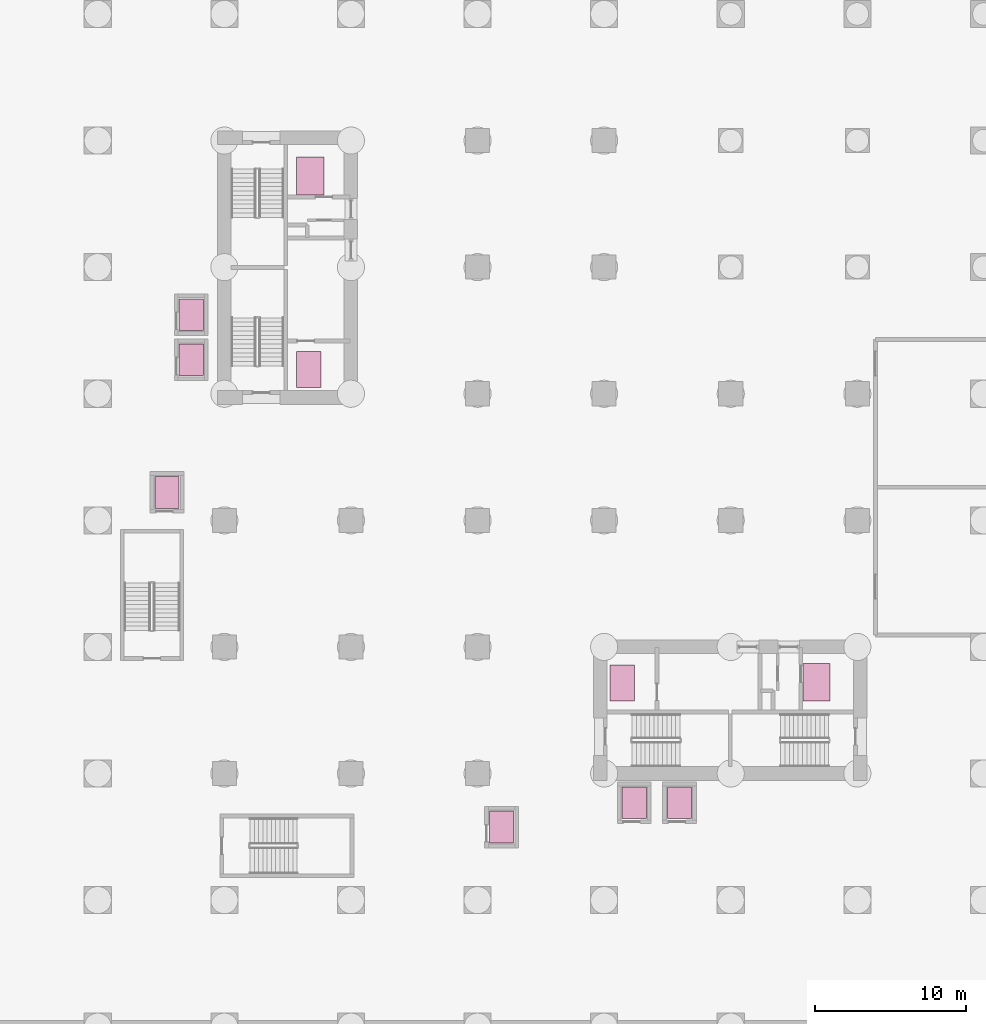
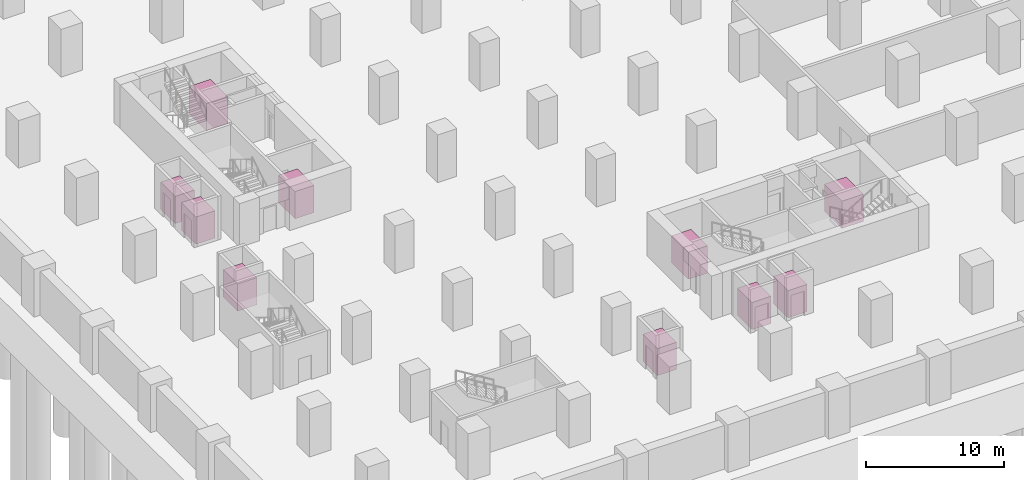
# One storey, part 12 of 12: 10 transport elements.
"""IFC4 building model written with IfcOpenShell, lengths in metres."""

import ifcopenshell
import ifcopenshell.guid

model = None  # the IFC model being written
_history = None  # IfcOwnerHistory: only IFC2X3 demands one
_inside = {}  # id of a spatial element -> (the spatial element, [elements in it])
_under = {}  # id of a project, library or spatial element -> (it, [spatial elements below it])
_declared = {}  # id of a project -> (the project, [libraries it declares])
_typed = {}  # id of a type object -> (the type object, [elements of that type])
_made_of = {}  # id of a material, layer set ... -> (it, [elements and type objects made of it])


def new_model(schema):
    """Start an empty IFC model of exactly this schema.

    Asked for "IFC4X3", IfcOpenShell would pick the latest addendum, in which some entities
    have other attributes; the version numbers below select the first issue.
    IFC2X3 requires an IfcOwnerHistory on every rooted entity: one is made here for all.
    """
    global model, _history
    if schema == "IFC4X3":
        model = ifcopenshell.file(schema_version=(4, 3, 0, 0))
    else:
        model = ifcopenshell.file(schema=schema)
    _inside.clear()
    _under.clear()
    _declared.clear()
    _typed.clear()
    _made_of.clear()
    _history = None
    if model.schema == "IFC2X3":
        org = make("IfcOrganization", Name="unknown")
        user = make(
            "IfcPersonAndOrganization",
            ThePerson=make("IfcPerson", FamilyName="unknown"),
            TheOrganization=org,
        )
        app = make(
            "IfcApplication",
            ApplicationDeveloper=org,
            Version="unknown",
            ApplicationFullName="unknown",
            ApplicationIdentifier="unknown",
        )
        _history = make(
            "IfcOwnerHistory",
            OwningUser=user,
            OwningApplication=app,
            ChangeAction="ADDED",
            CreationDate=0,
        )
    return model


def make(cls, **values):
    """One entity of the class cls with the attributes given. An attribute that is None is left unset."""
    return model.create_entity(
        cls, **{name: value for name, value in values.items() if value is not None}
    )


def rooted(cls, **values):
    """An entity with a GlobalId (a new one), such as an element, a storey or a relation."""
    return make(cls, GlobalId=ifcopenshell.guid.new(), OwnerHistory=_history, **values)


def si_unit(unit_type, name, prefix=None):
    """IfcSIUnit, for example si_unit("LENGTHUNIT", "METRE", prefix="MILLI")."""
    return make("IfcSIUnit", UnitType=unit_type, Prefix=prefix, Name=name)


def assignment(units):
    """IfcUnitAssignment: the units of a project."""
    return None if units is None else make("IfcUnitAssignment", Units=units)


def point(xyz):
    """IfcCartesianPoint."""
    return None if xyz is None else make("IfcCartesianPoint", Coordinates=xyz)


def direction(xyz):
    """IfcDirection."""
    return None if xyz is None else make("IfcDirection", DirectionRatios=xyz)


def frame(location, z_axis=None, x_axis=None):
    """IfcAxis2Placement3D, a coordinate frame: its origin and axes. An axis left out is left unset."""
    return make(
        "IfcAxis2Placement3D",
        Location=point(location),
        Axis=direction(z_axis),
        RefDirection=direction(x_axis),
    )


def frame_2d(location, x_axis=None):
    """IfcAxis2Placement2D, a coordinate frame in the plane: its origin and x axis."""
    return make(
        "IfcAxis2Placement2D", Location=point(location), RefDirection=direction(x_axis)
    )


def origin():
    """The frame at (0, 0, 0) with its axes left unset."""
    return frame((0.0, 0.0, 0.0))


def origin_2d():
    """The frame at (0, 0) in the plane with its x axis left unset."""
    return frame_2d((0.0, 0.0))


def place(relative_to, where):
    """IfcLocalPlacement: puts the frame where relative to a parent placement (None: the world)."""
    return make(
        "IfcLocalPlacement", PlacementRelTo=relative_to, RelativePlacement=where
    )


def context(
    kind, dimensions, precision=None, world=None, true_north=None, identifier=None
):
    """IfcGeometricRepresentationContext, for example the 3D "Model" context."""
    return make(
        "IfcGeometricRepresentationContext",
        ContextIdentifier=identifier,
        ContextType=kind,
        CoordinateSpaceDimension=dimensions,
        Precision=precision,
        WorldCoordinateSystem=world,
        TrueNorth=true_north,
    )


def subcontext(parent, identifier, kind, view, scale=None):
    """IfcGeometricRepresentationSubContext, for example "Body" below "Model"."""
    return make(
        "IfcGeometricRepresentationSubContext",
        ContextIdentifier=identifier,
        ContextType=kind,
        ParentContext=parent,
        TargetScale=scale,
        TargetView=view,
    )


def project(units=None, contexts=None):
    """IfcProject with its units and contexts."""
    return rooted(
        "IfcProject",
        Name="project",
        RepresentationContexts=contexts,
        UnitsInContext=assignment(units),
    )


def spatial(cls, under=None, at=None, **own):
    """A site, building, storey or space (cls), placed at a placement, below another one or the project."""
    s = rooted(cls, ObjectPlacement=at, **own)
    if under is not None:
        _under.setdefault(under.id(), (under, []))[1].append(s)
    return s


def profile(cls, at=None, kind="AREA", **sizes):
    """A parametric profile (cls). Its sizes go by their IFC names, for example OverallWidth=200.0."""
    return make(cls, ProfileType=kind, Position=at, **sizes)


def rectangle(**sizes):
    """IfcRectangleProfileDef."""
    return profile("IfcRectangleProfileDef", **sizes)


def extrude(swept, where, along, depth):
    """IfcExtrudedAreaSolid: the profile swept, set in the frame where, extruded along a direction by depth."""
    return make(
        "IfcExtrudedAreaSolid",
        SweptArea=swept,
        Position=where,
        ExtrudedDirection=direction(along),
        Depth=depth,
    )


def shape(context_of_items, identifier, shape_type, items):
    """IfcShapeRepresentation: the items that make up one representation, for example the "Body"."""
    return make(
        "IfcShapeRepresentation",
        ContextOfItems=context_of_items,
        RepresentationIdentifier=identifier,
        RepresentationType=shape_type,
        Items=items,
    )


def material(Name=None, Category=None):
    """IfcMaterial."""
    return make("IfcMaterial", Name=Name, Category=Category)


def made_of(thing, what):
    """Note that an element or type object is made of a material, layer set ...; save() writes the relation."""
    if what is not None:
        _made_of.setdefault(what.id(), (what, []))[1].append(thing)
    return thing


def type_object(cls, material=None, **own):
    """A type object (cls), such as IfcWallType, which elements share."""
    return made_of(rooted(cls, **own), material)


def element(
    cls,
    number,
    at=None,
    inside=None,
    cuts=None,
    type_object=None,
    material=None,
    context=None,
    identifier="Body",
    shape_type=None,
    held_by="IfcProductDefinitionShape",
    body=None,
    shapes=None,
    **own,
):
    """One element of the class cls, such as IfcWall. Its Tag is "e" and its number.

    at: its placement. inside: the storey or other place that contains it. cuts: it is an
    opening in that element (IfcRelVoidsElement). A single representation is given by context,
    identifier, shape_type and body (its items); several are given by shapes. held_by: the class
    of the entity that holds the representations. save() writes the other relations.
    """
    e = rooted(cls, Tag="e%d" % number, ObjectPlacement=at, **own)
    if body is not None:
        shapes = [shape(context, identifier, shape_type, body)]
    if shapes is not None:
        e.Representation = make(held_by, Representations=shapes)
    if inside is not None:
        _inside.setdefault(inside.id(), (inside, []))[1].append(e)
    if cuts is not None:
        rooted(
            "IfcRelVoidsElement", RelatingBuildingElement=cuts, RelatedOpeningElement=e
        )
    if type_object is not None:
        _typed.setdefault(type_object.id(), (type_object, []))[1].append(e)
    return made_of(e, material)


def aggregate(whole, parts):
    """IfcRelAggregates: a whole, such as a stair, and the parts it consists of."""
    return rooted("IfcRelAggregates", RelatingObject=whole, RelatedObjects=parts)


def save(model, path):
    """Write the relations noted so far, then the file.

    IfcRelAggregates (storeys below a building ...), IfcRelContainedInSpatialStructure (elements
    in a storey), IfcRelDefinesByType, IfcRelAssociatesMaterial and IfcRelDeclares: one each for
    every whole, place, type object, material and project.
    """
    for whole, parts in _under.values():
        aggregate(whole, parts)
    for where, things in _inside.values():
        rooted(
            "IfcRelContainedInSpatialStructure",
            RelatedElements=things,
            RelatingStructure=where,
        )
    for kind, things in _typed.values():
        rooted("IfcRelDefinesByType", RelatedObjects=things, RelatingType=kind)
    for what, things in _made_of.values():
        rooted("IfcRelAssociatesMaterial", RelatedObjects=things, RelatingMaterial=what)
    for by, libraries in _declared.values():
        rooted("IfcRelDeclares", RelatingContext=by, RelatedDefinitions=libraries)
    model.write(path)


model = new_model("IFC4")

# Units and contexts
model_context = context("Model", 3, precision=1e-05, world=origin(), true_north=direction((0.0, 1.0)))
body_context = subcontext(model_context, "Body", "Model", "MODEL_VIEW")
ifc_project = project(units=[si_unit("LENGTHUNIT", "METRE"), si_unit("AREAUNIT", "SQUARE_METRE"), si_unit("VOLUMEUNIT", "CUBIC_METRE"), si_unit("PLANEANGLEUNIT", "RADIAN"), si_unit("MASSUNIT", "GRAM", prefix="KILO")], contexts=[model_context])

# Site, building, storey
site_placement = place(None, origin())
site = spatial("IfcSite", under=ifc_project, at=site_placement, CompositionType="ELEMENT")
building_placement = place(site_placement, origin())
building = spatial("IfcBuilding", under=site, at=building_placement, Name="Koriwani Terraces Tower", CompositionType="ELEMENT")
storey_placement = place(building_placement, frame((0.0, 0.0, -8.39990234375)))
storey = spatial("IfcBuildingStorey", under=building, at=storey_placement, Name="B02", CompositionType="ELEMENT", Elevation=-8.39990234375)

# Transport elements
ifc_material = material(Name="Steel ASTM A572 Grade 50", Category="steel")
transport_element_type_1 = type_object("IfcTransportElementType", Name="LIFT_FIREFIGHTING_1800", PredefinedType="ELEVATOR", material=ifc_material)
for number, where, z_axis, x_axis, name in (
    (1, (22.39990234375, 43.60009765625, 0.0), (0.0, 0.0, 1.0), (1.0, 0.0, 0.0), "Dedicated Firefighting and Stretcher Lifts (FE-01)"),
    (2, (43.199951171875, 22.800048828125, 0.0), (0.0, 0.0, 1.0), (1.0, 0.0, 0.0), "Dedicated Firefighting and Stretcher Lifts (FE-02)"),
):
    element("IfcTransportElement", number, at=place(storey_placement, frame(where, z_axis=z_axis, x_axis=x_axis)), inside=storey, type_object=transport_element_type_1, Name=name, PredefinedType="ELEVATOR", context=body_context, shape_type="SweptSolid", body=[
        extrude(rectangle(XDim=1.60009765625, YDim=2.39990234375, at=origin_2d()), origin(), (0.0, 0.0, 1.0), 2.39990234375),
    ])
transport_element_type_2 = type_object("IfcTransportElementType", Name="LIFT_GOODS_2000", PredefinedType="ELEVATOR", material=ifc_material)
for number, where, z_axis, x_axis, name in (
    (3, (22.5, 56.449951171875, 0.0), (0.0, 0.0, 1.0), (1.0, 0.0, 0.0), "Back-of-House Goods and Service Lifts (SE-01)"),
    (4, (56.10009765625, 22.85009765625, 0.0), (0.0, 0.0, 1.0), (1.0, 0.0, 0.0), "Back-of-House Goods and Service Lifts (SE-02)"),
):
    element("IfcTransportElement", number, at=place(storey_placement, frame(where, z_axis=z_axis, x_axis=x_axis)), inside=storey, type_object=transport_element_type_2, Name=name, PredefinedType="ELEVATOR", context=body_context, shape_type="SweptSolid", body=[
        extrude(rectangle(XDim=1.800048828125, YDim=2.5, at=origin_2d()), origin(), (0.0, 0.0, 1.0), 2.39990234375),
    ])
transport_element_type_3 = type_object("IfcTransportElementType", Name="LIFT_PASSENGER_1600", PredefinedType="ELEVATOR", material=ifc_material)
for number, where, z_axis, x_axis, name in (
    (5, (13.0, 35.449951171875, 0.0), (0.0, 0.0, 1.0), (1.0, 0.0, 0.0), "Podium Retail Lifts (PE-P1)"),
    (6, (35.199951171875, 13.25, 0.0), (0.0, 0.0, 1.0), (1.0, 0.0, 0.0), "Podium Retail Lifts (PE-P2)"),
    (7, (14.60009765625, 44.25, 0.0), (0.0, 0.0, 1.0), (1.0, 0.0, 0.0), "Bank 1 Low-Rise Hotel Passenger Lifts (PE-L1)"),
    (8, (14.60009765625, 47.25, 0.0), (0.0, 0.0, 1.0), (1.0, 0.0, 0.0), "Bank 1 Low-Rise Hotel Passenger Lifts (PE-L2)"),
    (9, (44.0, 14.85009765625, 0.0), (0.0, 0.0, 1.0), (1.0, 0.0, 0.0), "Bank 1 Low-Rise Hotel Passenger Lifts (PE-L3)"),
    (10, (47.0, 14.85009765625, 0.0), (0.0, 0.0, 1.0), (1.0, 0.0, 0.0), "Bank 1 Low-Rise Hotel Passenger Lifts (PE-L4)"),
):
    element("IfcTransportElement", number, at=place(storey_placement, frame(where, z_axis=z_axis, x_axis=x_axis)), inside=storey, type_object=transport_element_type_3, Name=name, PredefinedType="ELEVATOR", context=body_context, shape_type="SweptSolid", body=[
        extrude(rectangle(XDim=1.60009765625, YDim=2.10009765625, at=origin_2d()), origin(), (0.0, 0.0, 1.0), 2.39990234375),
    ])

save(model, "model.ifc")
